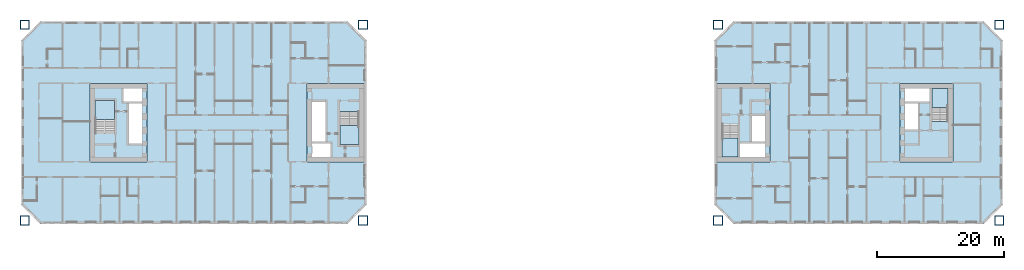
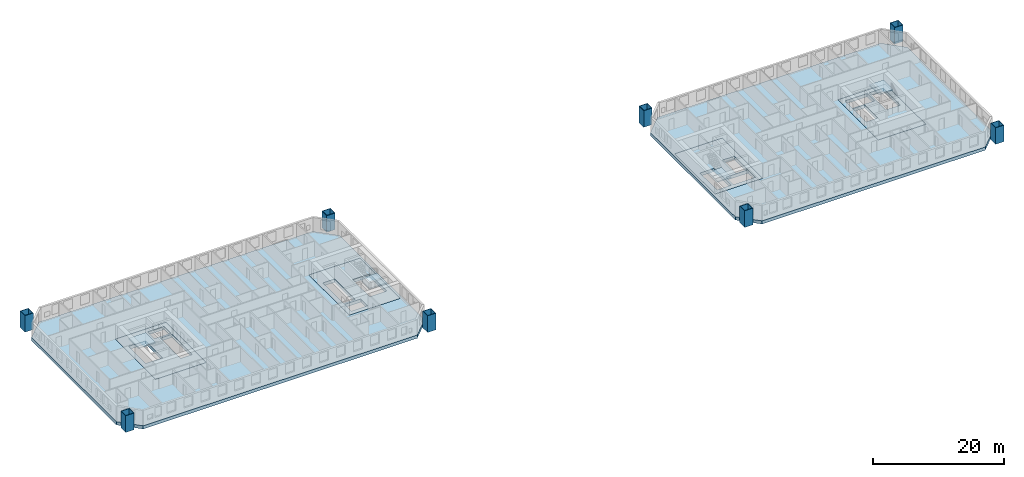
# One storey, part 1 of 17: 10 slabs, 8 columns, 4 elements without a shape of their own.
"""IFC4 building model written with IfcOpenShell, lengths in metres."""

from ifc_helpers import new_model, si_unit, direction, frame, origin, origin_2d, place, context, subcontext, project, spatial, polyline, hollow_rectangle, outline, extrude, material, layer, layer_set, material_profile, profile_set, type_object, element, aggregate, save


model = new_model("IFC4")

# Units and contexts
model_context = context("Model", 3, precision=1e-05, world=origin(), true_north=direction((0.0, 1.0)))
body_context = subcontext(model_context, "Body", "Model", "MODEL_VIEW")
ifc_project = project(units=[si_unit("LENGTHUNIT", "METRE"), si_unit("AREAUNIT", "SQUARE_METRE"), si_unit("VOLUMEUNIT", "CUBIC_METRE"), si_unit("PLANEANGLEUNIT", "RADIAN"), si_unit("MASSUNIT", "GRAM", prefix="KILO")], contexts=[model_context])

# Site, building, storey
site_placement = place(None, origin())
site = spatial("IfcSite", under=ifc_project, at=site_placement, CompositionType="ELEMENT")
building_placement = place(site_placement, origin())
building = spatial("IfcBuilding", under=site, at=building_placement, Name="Tuart Gate Housing", CompositionType="ELEMENT")
storey_placement = place(building_placement, frame((0.0, 0.0, 44.300048828125)))
storey = spatial("IfcBuildingStorey", under=building, at=storey_placement, Name="L11", CompositionType="ELEMENT", Elevation=44.300048828125)

# Columns
ifc_material_1 = material(Name="Steel Grade 350", Category="steel")
ifc_material_profile = material_profile(ifc_material_1, hollow_rectangle(XDim=1.5, YDim=1.5, WallThickness=0.080078125, at=origin_2d()), Name="BOX 1500x1500x80")
ifc_profile_set = profile_set([ifc_material_profile], Name="Steel Grade 350")
column_type = type_object("IfcColumnType", Name="Mega column BOX 1500x1500x80", PredefinedType="COLUMN", material=ifc_profile_set)
for number, where, z_axis, x_axis, name in (
    (1, (22.050048828125, 54.550048828125, 0.0), (0.0, 0.0, 1.0), (1.0, 0.0, 0.0), "Mega column A south-west L11"),
    (2, (75.449951171875, 54.550048828125, 0.0), (0.0, 0.0, 1.0), (1.0, 0.0, 0.0), "Mega column A south-east L11"),
    (3, (75.449951171875, 85.449951171875, 0.0), (0.0, 0.0, 1.0), (1.0, 0.0, 0.0), "Mega column A north-east L11"),
    (4, (22.050048828125, 85.449951171875, 0.0), (0.0, 0.0, 1.0), (1.0, 0.0, 0.0), "Mega column A north-west L11"),
    (5, (131.550048828125, 54.550048828125, 0.0), (0.0, 0.0, 1.0), (1.0, 0.0, 0.0), "Mega column B south-west L11"),
    (6, (175.949951171875, 54.550048828125, 0.0), (0.0, 0.0, 1.0), (1.0, 0.0, 0.0), "Mega column B south-east L11"),
    (7, (175.949951171875, 85.449951171875, 0.0), (0.0, 0.0, 1.0), (1.0, 0.0, 0.0), "Mega column B north-east L11"),
    (8, (131.550048828125, 85.449951171875, 0.0), (0.0, 0.0, 1.0), (1.0, 0.0, 0.0), "Mega column B north-west L11"),
):
    element("IfcColumn", number, at=place(storey_placement, frame(where, z_axis=z_axis, x_axis=x_axis)), inside=storey, type_object=column_type, Name=name, PredefinedType="COLUMN", context=body_context, shape_type="SweptSolid", body=[
        extrude(hollow_rectangle(XDim=1.5, YDim=1.5, WallThickness=0.080078125, at=origin_2d()), origin(), (0.0, 0.0, 1.0), 3.099853515625),
    ])

# Slabs
ifc_material_2 = material(Name="Concrete C40", Category="concrete")
ifc_layer_1 = layer(ifc_material_2, 0.60009765625)
ifc_layer_set_1 = layer_set([ifc_layer_1], Name="Core floor slab 600")
slab_type_1 = type_object("IfcSlabType", Name="Core floor slab 600", PredefinedType="FLOOR", material=ifc_layer_set_1)
slab_1_placement = place(storey_placement, frame((0.0, 0.0, -0.60009765625)))
element("IfcSlab", 9, at=slab_1_placement, inside=storey, type_object=slab_type_1, Name="Core floor AG", PredefinedType="FLOOR", context=body_context, shape_type="SweptSolid", body=[
    extrude(outline(polyline([(66.639892578125, 63.800048828125), (75.639892578125, 63.800048828125), (75.639892578125, 76.199951171875), (66.639892578125, 76.199951171875), (66.639892578125, 63.800048828125)]), holes=[polyline([(67.43994140625, 64.60009765625), (70.3349609375, 64.60009765625), (70.3349609375, 66.675048828125), (67.43994140625, 66.675048828125), (67.43994140625, 64.60009765625)]), polyline([(67.43994140625, 67.02490234375), (69.514892578125, 67.02490234375), (69.514892578125, 73.27490234375), (67.43994140625, 73.27490234375), (67.43994140625, 67.02490234375)]), polyline([(71.81494140625, 66.52490234375), (74.840087890625, 66.52490234375), (74.840087890625, 71.7548828125), (71.81494140625, 71.7548828125), (71.81494140625, 66.52490234375)])]), origin(), (0.0, 0.0, 1.0), 0.60009765625),
])
slab_2_placement = place(storey_placement, frame((0.0, 0.0, -0.60009765625)))
element("IfcSlab", 10, at=slab_2_placement, inside=storey, type_object=slab_type_1, Name="Core floor AK", PredefinedType="FLOOR", context=body_context, shape_type="SweptSolid", body=[
    extrude(outline(polyline([(32.360107421875, 63.800048828125), (41.360107421875, 63.800048828125), (41.360107421875, 76.199951171875), (32.360107421875, 76.199951171875), (32.360107421875, 63.800048828125)]), holes=[polyline([(40.56005859375, 75.39990234375), (37.6650390625, 75.39990234375), (37.6650390625, 73.324951171875), (40.56005859375, 73.324951171875), (40.56005859375, 75.39990234375)]), polyline([(40.56005859375, 72.97509765625), (38.485107421875, 72.97509765625), (38.485107421875, 66.72509765625), (40.56005859375, 66.72509765625), (40.56005859375, 72.97509765625)]), polyline([(36.18505859375, 73.47509765625), (33.159912109375, 73.47509765625), (33.159912109375, 68.2451171875), (36.18505859375, 68.2451171875), (36.18505859375, 73.47509765625)])]), origin(), (0.0, 0.0, 1.0), 0.60009765625),
])
slab_3_placement = place(storey_placement, frame((0.0, 0.0, -0.60009765625)))
element("IfcSlab", 11, at=slab_3_placement, inside=storey, type_object=slab_type_1, Name="Core floor BG", PredefinedType="FLOOR", context=body_context, shape_type="SweptSolid", body=[
    extrude(outline(polyline([(131.360107421875, 63.800048828125), (139.760009765625, 63.800048828125), (139.760009765625, 76.199951171875), (131.360107421875, 76.199951171875), (131.360107421875, 63.800048828125)]), holes=[polyline([(138.9599609375, 66.85009765625), (135.034912109375, 66.85009765625), (135.034912109375, 64.60009765625), (138.9599609375, 64.60009765625), (138.9599609375, 66.85009765625)]), polyline([(138.9599609375, 71.074951171875), (136.885009765625, 71.074951171875), (136.885009765625, 67.02490234375), (138.9599609375, 67.02490234375), (138.9599609375, 71.074951171875)]), polyline([(134.68505859375, 69.804931640625), (132.159912109375, 69.804931640625), (132.159912109375, 64.60009765625), (134.68505859375, 64.60009765625), (134.68505859375, 69.804931640625)])]), origin(), (0.0, 0.0, 1.0), 0.60009765625),
])
slab_4_placement = place(storey_placement, frame((0.0, 0.0, -0.60009765625)))
element("IfcSlab", 12, at=slab_4_placement, inside=storey, type_object=slab_type_1, Name="Core floor BK", PredefinedType="FLOOR", context=body_context, shape_type="SweptSolid", body=[
    extrude(outline(polyline([(160.239990234375, 63.800048828125), (168.639892578125, 63.800048828125), (168.639892578125, 76.199951171875), (160.239990234375, 76.199951171875), (160.239990234375, 63.800048828125)]), holes=[polyline([(161.0400390625, 73.14990234375), (164.965087890625, 73.14990234375), (164.965087890625, 75.39990234375), (161.0400390625, 75.39990234375), (161.0400390625, 73.14990234375)]), polyline([(161.0400390625, 68.925048828125), (163.114990234375, 68.925048828125), (163.114990234375, 72.97509765625), (161.0400390625, 72.97509765625), (161.0400390625, 68.925048828125)]), polyline([(165.31494140625, 70.195068359375), (167.840087890625, 70.195068359375), (167.840087890625, 75.39990234375), (165.31494140625, 75.39990234375), (165.31494140625, 70.195068359375)])]), origin(), (0.0, 0.0, 1.0), 0.60009765625),
])

# Stair, slab
ifc_material_3 = material(Name="Concrete C40", Category="concrete")
stair_type_1 = type_object("IfcStairType", Name="Core stair 1500", PredefinedType="HALF_TURN_STAIR", material=ifc_material_3)
stair_1_placement = place(storey_placement, origin())
stair_1 = element("IfcStair", 13, at=stair_1_placement, inside=storey, type_object=stair_type_1, Name="Stair SA1", PredefinedType="HALF_TURN_STAIR")
ifc_material_4 = material(Name="Concrete C40", Category="concrete")
ifc_layer_2 = layer(ifc_material_4, 0.199951171875)
ifc_layer_set_2 = layer_set([ifc_layer_2], Name="Stair landing 200")
slab_type_2 = type_object("IfcSlabType", Name="Stair landing 200", PredefinedType="LANDING", material=ifc_layer_set_2)
slab_5_placement = place(storey_placement, frame((0.0, 0.0, 1.349853515625)))
slab_5 = element("IfcSlab", 14, at=slab_5_placement, type_object=slab_type_2, Name="SA1 landing 1", PredefinedType="LANDING", context=body_context, shape_type="SweptSolid", body=[
    extrude(outline(polyline([(71.81494140625, 66.52490234375), (74.840087890625, 66.52490234375), (74.840087890625, 69.534912109375), (71.81494140625, 69.534912109375), (71.81494140625, 66.52490234375)])), origin(), (0.0, 0.0, 1.0), 0.2001953125),
])
aggregate(stair_1, [slab_5])

stair_2_placement = place(storey_placement, origin())
stair_2 = element("IfcStair", 15, at=stair_2_placement, inside=storey, type_object=stair_type_1, Name="Stair SA2", PredefinedType="HALF_TURN_STAIR")
slab_6_placement = place(storey_placement, frame((0.0, 0.0, 1.349853515625)))
slab_6 = element("IfcSlab", 16, at=slab_6_placement, type_object=slab_type_2, Name="SA2 landing 1", PredefinedType="LANDING", context=body_context, shape_type="SweptSolid", body=[
    extrude(outline(polyline([(36.18505859375, 73.47509765625), (33.159912109375, 73.47509765625), (33.159912109375, 70.465087890625), (36.18505859375, 70.465087890625), (36.18505859375, 73.47509765625)])), origin(), (0.0, 0.0, 1.0), 0.2001953125),
])
aggregate(stair_2, [slab_6])

ifc_material_5 = material(Name="Concrete C40", Category="concrete")
stair_type_2 = type_object("IfcStairType", Name="Core stair 1250", PredefinedType="HALF_TURN_STAIR", material=ifc_material_5)
stair_3_placement = place(storey_placement, origin())
stair_3 = element("IfcStair", 17, at=stair_3_placement, inside=storey, type_object=stair_type_2, Name="Stair SB1", PredefinedType="HALF_TURN_STAIR")
slab_7_placement = place(storey_placement, frame((0.0, 0.0, 1.349853515625)))
slab_7 = element("IfcSlab", 18, at=slab_7_placement, type_object=slab_type_2, Name="SB1 landing 1", PredefinedType="LANDING", context=body_context, shape_type="SweptSolid", body=[
    extrude(outline(polyline([(134.68505859375, 67.5849609375), (132.159912109375, 67.5849609375), (132.159912109375, 64.60009765625), (134.68505859375, 64.60009765625), (134.68505859375, 67.5849609375)])), origin(), (0.0, 0.0, 1.0), 0.2001953125),
])
aggregate(stair_3, [slab_7])

stair_4_placement = place(storey_placement, origin())
stair_4 = element("IfcStair", 19, at=stair_4_placement, inside=storey, type_object=stair_type_2, Name="Stair SB2", PredefinedType="HALF_TURN_STAIR")
slab_8_placement = place(storey_placement, frame((0.0, 0.0, 1.349853515625)))
slab_8 = element("IfcSlab", 20, at=slab_8_placement, type_object=slab_type_2, Name="SB2 landing 1", PredefinedType="LANDING", context=body_context, shape_type="SweptSolid", body=[
    extrude(outline(polyline([(165.31494140625, 72.4150390625), (167.840087890625, 72.4150390625), (167.840087890625, 75.39990234375), (165.31494140625, 75.39990234375), (165.31494140625, 72.4150390625)])), origin(), (0.0, 0.0, 1.0), 0.2001953125),
])
aggregate(stair_4, [slab_8])

# Slabs
ifc_material_6 = material(Name="Concrete C40", Category="concrete")
ifc_layer_3 = layer(ifc_material_6, 0.60009765625)
ifc_layer_set_3 = layer_set([ifc_layer_3], Name="Transfer plate 600")
slab_type_3 = type_object("IfcSlabType", Name="Transfer plate 600", PredefinedType="FLOOR", material=ifc_layer_set_3)
slab_9_placement = place(storey_placement, frame((0.0, 0.0, -0.60009765625)))
element("IfcSlab", 21, at=slab_9_placement, inside=storey, type_object=slab_type_3, Name="Floor slab A L11", PredefinedType="FLOOR", context=body_context, shape_type="SweptSolid", body=[
    extrude(outline(polyline([(24.5, 86.0), (21.5, 83.0), (21.5, 57.0), (24.5, 54.0), (73.0, 54.0), (76.0, 57.0), (76.0, 83.0), (73.0, 86.0), (24.5, 86.0)]), holes=[polyline([(66.639892578125, 76.199951171875), (75.639892578125, 76.199951171875), (75.639892578125, 63.800048828125), (66.639892578125, 63.800048828125), (66.639892578125, 76.199951171875)]), polyline([(41.360107421875, 76.199951171875), (41.360107421875, 63.800048828125), (32.360107421875, 63.800048828125), (32.360107421875, 76.199951171875), (41.360107421875, 76.199951171875)])]), origin(), (0.0, 0.0, 1.0), 0.60009765625),
])
slab_10_placement = place(storey_placement, frame((0.0, 0.0, -0.60009765625)))
element("IfcSlab", 22, at=slab_10_placement, inside=storey, type_object=slab_type_3, Name="Floor slab B L11", PredefinedType="FLOOR", context=body_context, shape_type="SweptSolid", body=[
    extrude(outline(polyline([(134.0, 86.0), (131.0, 83.0), (131.0, 57.0), (134.0, 54.0), (173.5, 54.0), (176.5, 57.0), (176.5, 83.0), (173.5, 86.0), (134.0, 86.0)]), holes=[polyline([(131.360107421875, 76.199951171875), (139.760009765625, 76.199951171875), (139.760009765625, 63.800048828125), (131.360107421875, 63.800048828125), (131.360107421875, 76.199951171875)]), polyline([(168.639892578125, 76.199951171875), (168.639892578125, 63.800048828125), (160.239990234375, 63.800048828125), (160.239990234375, 76.199951171875), (168.639892578125, 76.199951171875)])]), origin(), (0.0, 0.0, 1.0), 0.60009765625),
])

save(model, "model.ifc")
